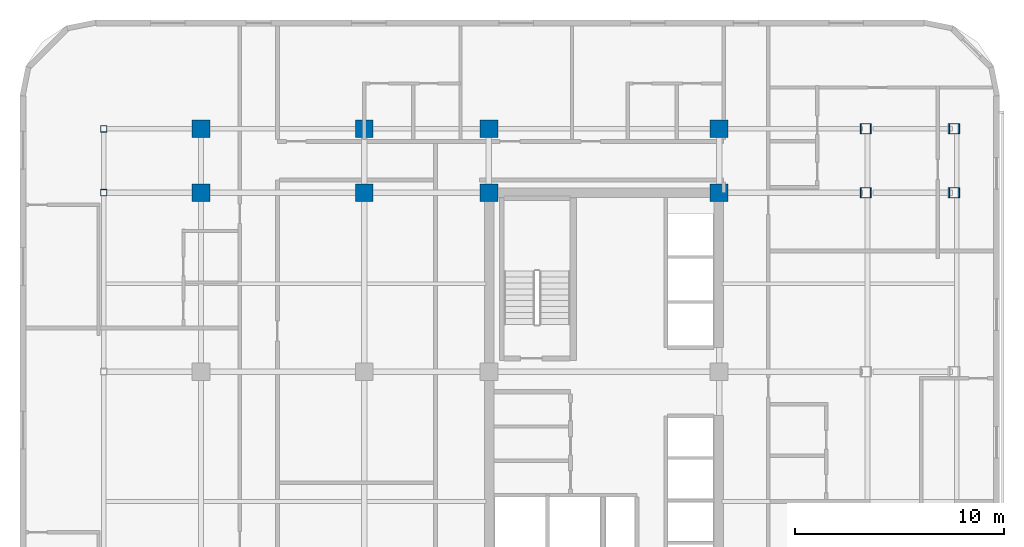
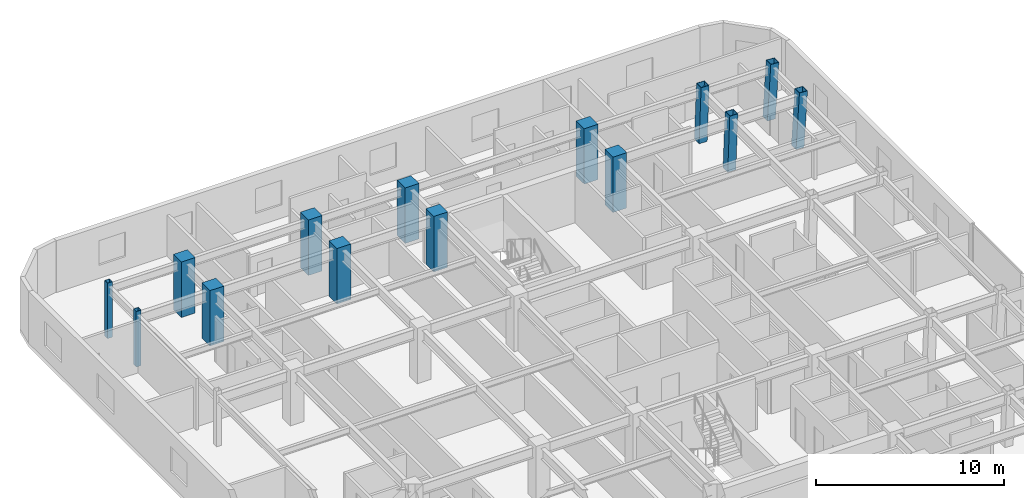
# One storey, part 3 of 15: 14 columns.
"""IFC4 building model written with IfcOpenShell, lengths in metres."""

from ifc_helpers import new_model, si_unit, direction, frame, origin, origin_2d, place, context, subcontext, project, spatial, rectangle, hollow_rectangle, extrude, material, material_profile, profile_set, type_object, element, save


model = new_model("IFC4")

# Units and contexts
model_context = context("Model", 3, precision=1e-05, world=origin(), true_north=direction((0.0, 1.0)))
body_context = subcontext(model_context, "Body", "Model", "MODEL_VIEW")
ifc_project = project(units=[si_unit("LENGTHUNIT", "METRE"), si_unit("AREAUNIT", "SQUARE_METRE"), si_unit("VOLUMEUNIT", "CUBIC_METRE"), si_unit("PLANEANGLEUNIT", "RADIAN"), si_unit("MASSUNIT", "GRAM", prefix="KILO")], contexts=[model_context])

# Site, building, storey
site_placement = place(None, origin())
site = spatial("IfcSite", under=ifc_project, at=site_placement, CompositionType="ELEMENT")
building_placement = place(site_placement, origin())
building = spatial("IfcBuilding", under=site, at=building_placement, Name="Ochreholt Gables", CompositionType="ELEMENT")
storey_placement = place(building_placement, frame((0.0, 0.0, 64.199951171875)))
storey = spatial("IfcBuildingStorey", under=building, at=storey_placement, Name="L16", CompositionType="ELEMENT", Elevation=64.199951171875)

# Columns
ifc_material_1 = material(Name="Steel CSA G40.21 350W", Category="steel")
ifc_material_profile_1 = material_profile(ifc_material_1, hollow_rectangle(XDim=0.304931640625, YDim=0.304931640625, WallThickness=0.0126953125, at=origin_2d()), Name="HSS305X305X13")
ifc_profile_set_1 = profile_set([ifc_material_profile_1], Name="Steel CSA G40.21 350W")
column_type_1 = type_object("IfcColumnType", Name="COL-HSS305-EXT", PredefinedType="COLUMN", material=ifc_profile_set_1)
for number, where, z_axis, x_axis, name in (
    (1, (5.800048828125, 38.75, 0.0), (0.0, 0.0, 1.0), (1.0, 0.0, 0.0), "L16 Column WTY5"),
    (2, (5.800048828125, 41.800048828125, 0.0), (0.0, 0.0, 1.0), (1.0, 0.0, 0.0), "L16 Column WTY6"),
):
    element("IfcColumn", number, at=place(storey_placement, frame(where, z_axis=z_axis, x_axis=x_axis)), inside=storey, type_object=column_type_1, Name=name, PredefinedType="COLUMN", context=body_context, shape_type="SweptSolid", body=[
        extrude(hollow_rectangle(XDim=0.304931640625, YDim=0.304931640625, WallThickness=0.0126953125, at=origin_2d()), origin(), (0.0, 0.0, 1.0), 3.60009765625),
    ])
ifc_material_profile_2 = material_profile(ifc_material_1, hollow_rectangle(XDim=0.5, YDim=0.5, WallThickness=0.02197265625, at=origin_2d()), Name="HSS500X500X22")
ifc_profile_set_2 = profile_set([ifc_material_profile_2], Name="Steel CSA G40.21 350W")
column_type_2 = type_object("IfcColumnType", Name="COL-HSS500-RAK", PredefinedType="COLUMN", material=ifc_profile_set_2)
column_1_placement = place(storey_placement, frame((42.18310546875, 38.75, 0.0), z_axis=(0.034971136209, 0.0, 0.999388322742), x_axis=(0.0, 1.0, 0.0)))
element("IfcColumn", 3, at=column_1_placement, inside=storey, type_object=column_type_2, Name="L16 Column EMY5", PredefinedType="COLUMN", context=body_context, shape_type="SweptSolid", body=[
    extrude(hollow_rectangle(XDim=0.5, YDim=0.5, WallThickness=0.02197265625, at=origin_2d()), origin(), (0.0, 0.0, 1.0), 3.602294921875),
])
ifc_material_profile_3 = material_profile(ifc_material_1, hollow_rectangle(XDim=0.5, YDim=0.5, WallThickness=0.02197265625, at=origin_2d()), Name="HSS500X500X22")
ifc_profile_set_3 = profile_set([ifc_material_profile_3], Name="Steel CSA G40.21 350W")
column_type_3 = type_object("IfcColumnType", Name="COL-HSS500-RAKE", PredefinedType="COLUMN", material=ifc_profile_set_3)
column_2_placement = place(storey_placement, frame((42.18310546875, 41.800048828125, 0.0), z_axis=(0.034971136209, 0.0, 0.999388322742), x_axis=(0.0, 1.0, 0.0)))
element("IfcColumn", 4, at=column_2_placement, inside=storey, type_object=column_type_3, Name="L16 Column EMY6", PredefinedType="COLUMN", context=body_context, shape_type="SweptSolid", body=[
    extrude(hollow_rectangle(XDim=0.5, YDim=0.5, WallThickness=0.02197265625, at=origin_2d()), origin(), (0.0, 0.0, 1.0), 3.602294921875),
])
for number, where, z_axis, x_axis, name in (
    (5, (46.38037109375, 38.75, 0.0), (0.057884606321, 0.0, 0.998323280481), (0.0, 1.0, 0.0), "L16 Column EEY5"),
    (6, (46.38037109375, 41.800048828125, 0.0), (0.057884606321, 0.0, 0.998323280481), (0.0, 1.0, 0.0), "L16 Column EEY6"),
):
    element("IfcColumn", number, at=place(storey_placement, frame(where, z_axis=z_axis, x_axis=x_axis)), inside=storey, type_object=column_type_3, Name=name, PredefinedType="COLUMN", context=body_context, shape_type="SweptSolid", body=[
        extrude(hollow_rectangle(XDim=0.5, YDim=0.5, WallThickness=0.02197265625, at=origin_2d()), origin(), (0.0, 0.0, 1.0), 3.606201171875),
    ])
ifc_material_2 = material(Name="Concrete 60 MPa", Category="concrete")
ifc_material_profile_4 = material_profile(ifc_material_2, rectangle(XDim=0.85009765625, YDim=0.85009765625, at=origin_2d()), Name="RC850X850")
ifc_profile_set_4 = profile_set([ifc_material_profile_4], Name="Concrete 60 MPa")
column_type_4 = type_object("IfcColumnType", Name="COL-RC850-EXT", PredefinedType="COLUMN", material=ifc_profile_set_4)
for number, where, z_axis, x_axis, name in (
    (7, (10.449951171875, 41.800048828125, 0.0), (0.0, 0.0, 1.0), (1.0, 0.0, 0.0), "L16 Column W2Y6"),
    (8, (18.25, 41.800048828125, 0.0), (0.0, 0.0, 1.0), (1.0, 0.0, 0.0), "L16 Column W3Y6"),
    (9, (24.199951171875, 41.800048828125, 0.0), (0.0, 0.0, 1.0), (1.0, 0.0, 0.0), "L16 Column C1Y6"),
    (10, (35.199951171875, 41.800048828125, 0.0), (0.0, 0.0, 1.0), (1.0, 0.0, 0.0), "L16 Column C2Y6"),
):
    element("IfcColumn", number, at=place(storey_placement, frame(where, z_axis=z_axis, x_axis=x_axis)), inside=storey, type_object=column_type_4, Name=name, PredefinedType="COLUMN", context=body_context, shape_type="SweptSolid", body=[
        extrude(rectangle(XDim=0.85009765625, YDim=0.85009765625, at=origin_2d()), origin(), (0.0, 0.0, 1.0), 3.60009765625),
    ])
ifc_material_profile_5 = material_profile(ifc_material_2, rectangle(XDim=0.85009765625, YDim=0.85009765625, at=origin_2d()), Name="RC850X850")
ifc_profile_set_5 = profile_set([ifc_material_profile_5], Name="Concrete 60 MPa")
column_type_5 = type_object("IfcColumnType", Name="COL-RC850-INT", PredefinedType="COLUMN", material=ifc_profile_set_5)
for number, where, z_axis, x_axis, name in (
    (11, (10.449951171875, 38.75, 0.0), (0.0, 0.0, 1.0), (1.0, 0.0, 0.0), "L16 Column W2Y5"),
    (12, (18.25, 38.75, 0.0), (0.0, 0.0, 1.0), (1.0, 0.0, 0.0), "L16 Column W3Y5"),
    (13, (24.199951171875, 38.75, 0.0), (0.0, 0.0, 1.0), (1.0, 0.0, 0.0), "L16 Column C1Y5"),
    (14, (35.199951171875, 38.75, 0.0), (0.0, 0.0, 1.0), (1.0, 0.0, 0.0), "L16 Column C2Y5"),
):
    element("IfcColumn", number, at=place(storey_placement, frame(where, z_axis=z_axis, x_axis=x_axis)), inside=storey, type_object=column_type_5, Name=name, PredefinedType="COLUMN", context=body_context, shape_type="SweptSolid", body=[
        extrude(rectangle(XDim=0.85009765625, YDim=0.85009765625, at=origin_2d()), origin(), (0.0, 0.0, 1.0), 3.60009765625),
    ])

save(model, "model.ifc")
